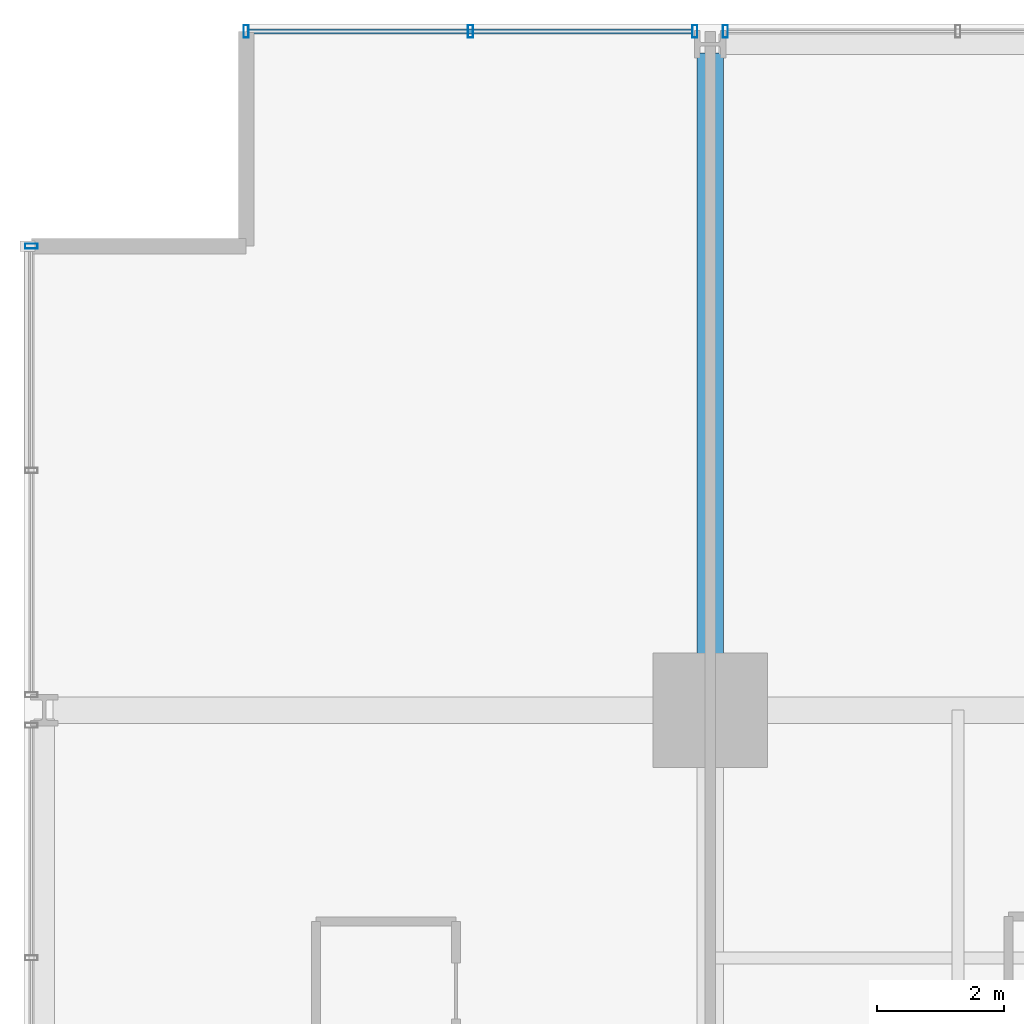
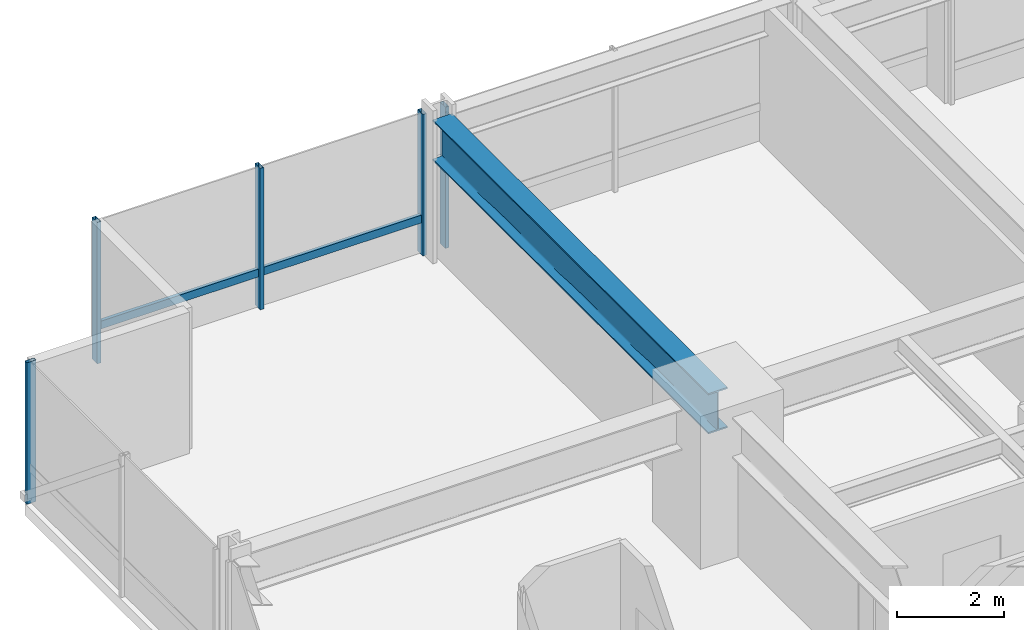
# One storey, part 21 of 38: 6 members, 1 beam, 3 elements without a shape of their own.
"""IFC4 building model written with IfcOpenShell, lengths in metres."""

from ifc_helpers import new_model, si_unit, direction, frame, origin, origin_2d, place, context, subcontext, project, spatial, hollow_rectangle, i_section, extrude, material, layer, layer_set, material_profile, profile_set, type_object, element, aggregate, save


model = new_model("IFC4")

# Units and contexts
model_context = context("Model", 3, precision=1e-05, world=origin(), true_north=direction((0.0, 1.0)))
body_context = subcontext(model_context, "Body", "Model", "MODEL_VIEW")
ifc_project = project(units=[si_unit("LENGTHUNIT", "METRE"), si_unit("AREAUNIT", "SQUARE_METRE"), si_unit("VOLUMEUNIT", "CUBIC_METRE"), si_unit("PLANEANGLEUNIT", "RADIAN"), si_unit("MASSUNIT", "GRAM", prefix="KILO")], contexts=[model_context])

# Site, building, storey
site_placement = place(None, origin())
site = spatial("IfcSite", under=ifc_project, at=site_placement, CompositionType="ELEMENT")
building_placement = place(site_placement, origin())
building = spatial("IfcBuilding", under=site, at=building_placement, Name="Drelvath Grand Hotel", CompositionType="ELEMENT")
storey_placement = place(building_placement, frame((0.0, 0.0, 47.199951171875)))
storey = spatial("IfcBuildingStorey", under=building, at=storey_placement, Name="L10", CompositionType="ELEMENT", Elevation=47.199951171875)

# Curtain wall, member
ifc_material_1 = material(Name="Warm Bronze Anodised Aluminium Frame", Category="aluminium")
ifc_layer = layer(ifc_material_1, 0.199951171875)
ifc_layer_set = layer_set([ifc_layer], Name="Warm Bronze Anodised Aluminium Frame")
curtain_wall_type = type_object("IfcCurtainWallType", Name="Stick Curtain Wall CW-02 Warm Bronze Low-Rise", PredefinedType="NOTDEFINED", material=ifc_layer_set)
curtain_wall_1_placement = place(storey_placement, origin())
curtain_wall_1 = element("IfcCurtainWall", 1, at=curtain_wall_1_placement, inside=storey, type_object=curtain_wall_type, Name="L10 CW-02 Curtain Wall CW02-L10-NW1", PredefinedType="NOTDEFINED")
ifc_material_profile_1 = material_profile(ifc_material_1, hollow_rectangle(XDim=0.074951171875, YDim=0.179931640625, WallThickness=0.0048828125, at=origin_2d()), Name="HSS180X75X5")
ifc_profile_set_1 = profile_set([ifc_material_profile_1], Name="Warm Bronze Anodised Aluminium Frame")
member_type_1 = type_object("IfcMemberType", Name="Curtain Wall Horizontal Transom CW-02 HSS180X75X5", PredefinedType="USERDEFINED", material=ifc_profile_set_1)
member_1_placement = place(storey_placement, frame((-23.4599609375, 53.8798828125, 0.81005859375), z_axis=(1.0, 0.0, 0.0), x_axis=(0.0, 1.0, 0.0)))
member_1 = element("IfcMember", 2, at=member_1_placement, type_object=member_type_1, Name="CW02-L10-NW1 Sill Transom", ObjectType="TRANSOM", PredefinedType="USERDEFINED", context=body_context, shape_type="SweptSolid", body=[
    extrude(hollow_rectangle(XDim=0.074951171875, YDim=0.179931640625, WallThickness=0.0048828125, at=origin_2d()), origin(), (0.0, 0.0, 1.0), 6.97900390625),
])

curtain_wall_2_placement = place(storey_placement, origin())
curtain_wall_2 = element("IfcCurtainWall", 3, at=curtain_wall_2_placement, inside=storey, type_object=curtain_wall_type, Name="L10 CW-02 Curtain Wall CW02-L10-WN3", PredefinedType="NOTDEFINED")
ifc_material_profile_2 = material_profile(ifc_material_1, hollow_rectangle(XDim=0.080078125, YDim=0.199951171875, WallThickness=0.0048828125, at=origin_2d()), Name="HSS200X80X5")
ifc_profile_set_2 = profile_set([ifc_material_profile_2], Name="Warm Bronze Anodised Aluminium Frame")
member_type_2 = type_object("IfcMemberType", Name="Curtain Wall Vertical Mullion CW-02 HSS200X80X5", PredefinedType="MULLION", material=ifc_profile_set_2)
member_2_placement = place(storey_placement, frame((-26.8798828125, 50.5, 0.0), z_axis=(0.0, 0.0, 1.0), x_axis=(0.0, 1.0, 0.0)))
member_2 = element("IfcMember", 4, at=member_2_placement, type_object=member_type_2, Name="CW02-L10-WN3 Mullion 3", PredefinedType="MULLION", context=body_context, shape_type="SweptSolid", body=[
    extrude(hollow_rectangle(XDim=0.080078125, YDim=0.199951171875, WallThickness=0.0048828125, at=origin_2d()), origin(), (0.0, 0.0, 1.0), 3.239990234375),
])
aggregate(curtain_wall_2, [member_2])

# Member
member_3_placement = place(storey_placement, frame((-23.5, 53.8798828125, 0.0), z_axis=(0.0, 0.0, 1.0), x_axis=(1.0, 0.0, 0.0)))
member_3 = element("IfcMember", 5, at=member_3_placement, type_object=member_type_2, Name="CW02-L10-NW1 Mullion 1", PredefinedType="MULLION", context=body_context, shape_type="SweptSolid", body=[
    extrude(hollow_rectangle(XDim=0.080078125, YDim=0.199951171875, WallThickness=0.0048828125, at=origin_2d()), origin(), (0.0, 0.0, 1.0), 3.239990234375),
])

member_4_placement = place(storey_placement, frame((-19.970458984375, 53.8798828125, 0.0), z_axis=(0.0, 0.0, 1.0), x_axis=(1.0, 0.0, 0.0)))
member_4 = element("IfcMember", 6, at=member_4_placement, type_object=member_type_2, Name="CW02-L10-NW1 Mullion 2", PredefinedType="MULLION", context=body_context, shape_type="SweptSolid", body=[
    extrude(hollow_rectangle(XDim=0.080078125, YDim=0.199951171875, WallThickness=0.0048828125, at=origin_2d()), origin(), (0.0, 0.0, 1.0), 3.239990234375),
])

member_5_placement = place(storey_placement, frame((-16.44091796875, 53.8798828125, 0.0), z_axis=(0.0, 0.0, 1.0), x_axis=(1.0, 0.0, 0.0)))
member_5 = element("IfcMember", 7, at=member_5_placement, type_object=member_type_2, Name="CW02-L10-NW1 Mullion 3", PredefinedType="MULLION", context=body_context, shape_type="SweptSolid", body=[
    extrude(hollow_rectangle(XDim=0.080078125, YDim=0.199951171875, WallThickness=0.0048828125, at=origin_2d()), origin(), (0.0, 0.0, 1.0), 3.239990234375),
])

aggregate(curtain_wall_1, [member_3, member_4, member_5, member_1])

# Curtain wall, member
curtain_wall_3_placement = place(storey_placement, origin())
curtain_wall_3 = element("IfcCurtainWall", 8, at=curtain_wall_3_placement, inside=storey, type_object=curtain_wall_type, Name="L10 CW-02 Curtain Wall CW02-L10-NW2", PredefinedType="NOTDEFINED")
member_6_placement = place(storey_placement, frame((-15.958984375, 53.8798828125, 0.0), z_axis=(0.0, 0.0, 1.0), x_axis=(1.0, 0.0, 0.0)))
member_6 = element("IfcMember", 9, at=member_6_placement, type_object=member_type_2, Name="CW02-L10-NW2 Mullion 1", PredefinedType="MULLION", context=body_context, shape_type="SweptSolid", body=[
    extrude(hollow_rectangle(XDim=0.080078125, YDim=0.199951171875, WallThickness=0.0048828125, at=origin_2d()), origin(), (0.0, 0.0, 1.0), 3.239990234375),
])
aggregate(curtain_wall_3, [member_6])

# Beam
ifc_material_2 = material(Name="Steel ASTM A992 Gr 50", Category="steel")
ifc_material_profile_3 = material_profile(ifc_material_2, i_section(OverallWidth=0.418212890625, OverallDepth=0.926513671875, WebThickness=0.019287109375, FlangeThickness=0.031982421875, FilletRadius=0.028076171875, at=origin_2d()), Name="W36X231")
ifc_profile_set_3 = profile_set([ifc_material_profile_3], Name="Steel ASTM A992 Gr 50")
beam_type = type_object("IfcBeamType", Name="Primary Floor Girder W36X231", PredefinedType="BEAM", material=ifc_profile_set_3)
beam_placement = place(storey_placement, frame((-16.199951171875, 43.199951171875, 2.77685546875), z_axis=(0.0, 1.0, 0.0), x_axis=(-1.0, 0.0, 0.0)))
element("IfcBeam", 10, at=beam_placement, inside=storey, type_object=beam_type, Name="L10 North Grid Girder 3", PredefinedType="BEAM", context=body_context, shape_type="SweptSolid", body=[
    extrude(i_section(OverallWidth=0.418212890625, OverallDepth=0.926513671875, WebThickness=0.019287109375, FlangeThickness=0.031982421875, FilletRadius=0.028076171875, at=origin_2d()), origin(), (0.0, 0.0, 1.0), 10.340087890625),
])

save(model, "model.ifc")
